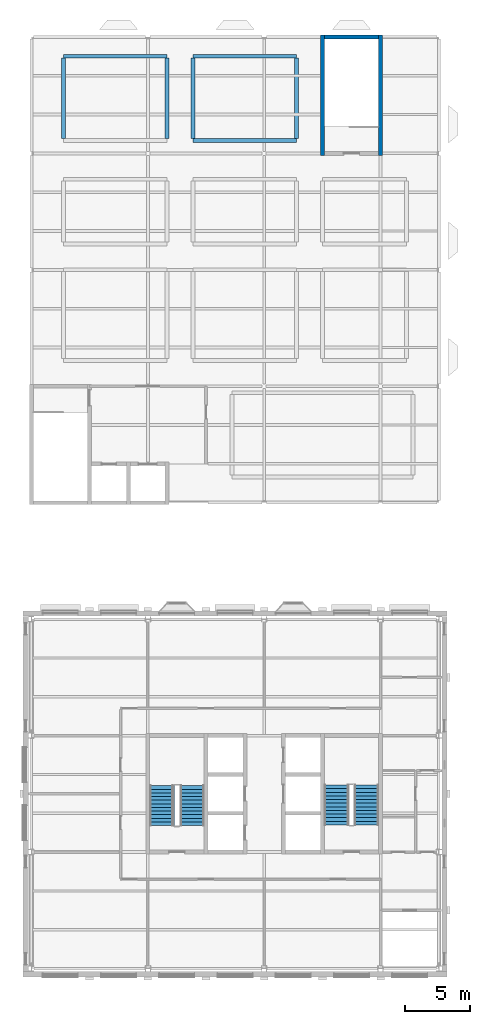
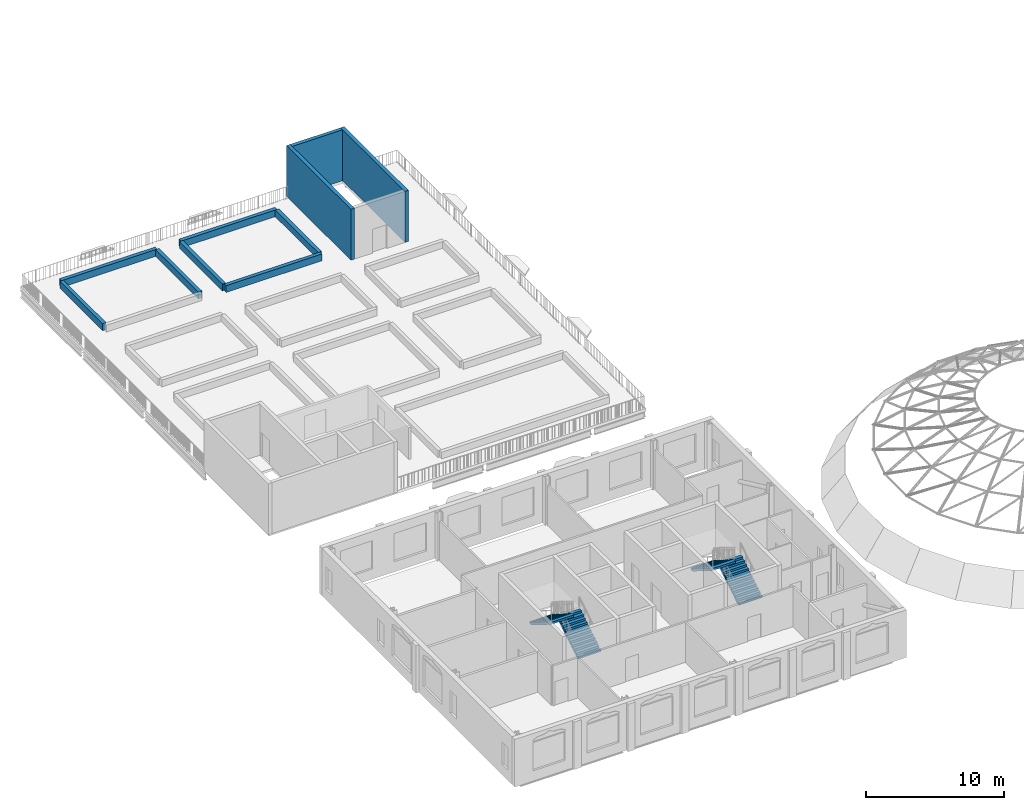
# One storey, part 15 of 33: 10 walls, 4 stair flights, 2 elements without a shape of their own.
"""IFC4 building model written with IfcOpenShell, lengths in metres."""

import ifcopenshell
import ifcopenshell.guid

model = None  # the IFC model being written
_history = None  # IfcOwnerHistory: only IFC2X3 demands one
_inside = {}  # id of a spatial element -> (the spatial element, [elements in it])
_under = {}  # id of a project, library or spatial element -> (it, [spatial elements below it])
_declared = {}  # id of a project -> (the project, [libraries it declares])
_typed = {}  # id of a type object -> (the type object, [elements of that type])
_made_of = {}  # id of a material, layer set ... -> (it, [elements and type objects made of it])


def new_model(schema):
    """Start an empty IFC model of exactly this schema.

    Asked for "IFC4X3", IfcOpenShell would pick the latest addendum, in which some entities
    have other attributes; the version numbers below select the first issue.
    IFC2X3 requires an IfcOwnerHistory on every rooted entity: one is made here for all.
    """
    global model, _history
    if schema == "IFC4X3":
        model = ifcopenshell.file(schema_version=(4, 3, 0, 0))
    else:
        model = ifcopenshell.file(schema=schema)
    _inside.clear()
    _under.clear()
    _declared.clear()
    _typed.clear()
    _made_of.clear()
    _history = None
    if model.schema == "IFC2X3":
        org = make("IfcOrganization", Name="unknown")
        user = make(
            "IfcPersonAndOrganization",
            ThePerson=make("IfcPerson", FamilyName="unknown"),
            TheOrganization=org,
        )
        app = make(
            "IfcApplication",
            ApplicationDeveloper=org,
            Version="unknown",
            ApplicationFullName="unknown",
            ApplicationIdentifier="unknown",
        )
        _history = make(
            "IfcOwnerHistory",
            OwningUser=user,
            OwningApplication=app,
            ChangeAction="ADDED",
            CreationDate=0,
        )
    return model


def make(cls, **values):
    """One entity of the class cls with the attributes given. An attribute that is None is left unset."""
    return model.create_entity(
        cls, **{name: value for name, value in values.items() if value is not None}
    )


def rooted(cls, **values):
    """An entity with a GlobalId (a new one), such as an element, a storey or a relation."""
    return make(cls, GlobalId=ifcopenshell.guid.new(), OwnerHistory=_history, **values)


def si_unit(unit_type, name, prefix=None):
    """IfcSIUnit, for example si_unit("LENGTHUNIT", "METRE", prefix="MILLI")."""
    return make("IfcSIUnit", UnitType=unit_type, Prefix=prefix, Name=name)


def assignment(units):
    """IfcUnitAssignment: the units of a project."""
    return None if units is None else make("IfcUnitAssignment", Units=units)


def point(xyz):
    """IfcCartesianPoint."""
    return None if xyz is None else make("IfcCartesianPoint", Coordinates=xyz)


def direction(xyz):
    """IfcDirection."""
    return None if xyz is None else make("IfcDirection", DirectionRatios=xyz)


def frame(location, z_axis=None, x_axis=None):
    """IfcAxis2Placement3D, a coordinate frame: its origin and axes. An axis left out is left unset."""
    return make(
        "IfcAxis2Placement3D",
        Location=point(location),
        Axis=direction(z_axis),
        RefDirection=direction(x_axis),
    )


def frame_2d(location, x_axis=None):
    """IfcAxis2Placement2D, a coordinate frame in the plane: its origin and x axis."""
    return make(
        "IfcAxis2Placement2D", Location=point(location), RefDirection=direction(x_axis)
    )


def origin():
    """The frame at (0, 0, 0) with its axes left unset."""
    return frame((0.0, 0.0, 0.0))


def place(relative_to, where):
    """IfcLocalPlacement: puts the frame where relative to a parent placement (None: the world)."""
    return make(
        "IfcLocalPlacement", PlacementRelTo=relative_to, RelativePlacement=where
    )


def context(
    kind, dimensions, precision=None, world=None, true_north=None, identifier=None
):
    """IfcGeometricRepresentationContext, for example the 3D "Model" context."""
    return make(
        "IfcGeometricRepresentationContext",
        ContextIdentifier=identifier,
        ContextType=kind,
        CoordinateSpaceDimension=dimensions,
        Precision=precision,
        WorldCoordinateSystem=world,
        TrueNorth=true_north,
    )


def subcontext(parent, identifier, kind, view, scale=None):
    """IfcGeometricRepresentationSubContext, for example "Body" below "Model"."""
    return make(
        "IfcGeometricRepresentationSubContext",
        ContextIdentifier=identifier,
        ContextType=kind,
        ParentContext=parent,
        TargetScale=scale,
        TargetView=view,
    )


def project(units=None, contexts=None):
    """IfcProject with its units and contexts."""
    return rooted(
        "IfcProject",
        Name="project",
        RepresentationContexts=contexts,
        UnitsInContext=assignment(units),
    )


def spatial(cls, under=None, at=None, **own):
    """A site, building, storey or space (cls), placed at a placement, below another one or the project."""
    s = rooted(cls, ObjectPlacement=at, **own)
    if under is not None:
        _under.setdefault(under.id(), (under, []))[1].append(s)
    return s


def polyline(points):
    """IfcPolyline through the points."""
    return make("IfcPolyline", Points=[point(p) for p in points])


def profile(cls, at=None, kind="AREA", **sizes):
    """A parametric profile (cls). Its sizes go by their IFC names, for example OverallWidth=200.0."""
    return make(cls, ProfileType=kind, Position=at, **sizes)


def rectangle(**sizes):
    """IfcRectangleProfileDef."""
    return profile("IfcRectangleProfileDef", **sizes)


def outline(outer, holes=None, kind="AREA"):
    """IfcArbitraryClosedProfileDef: a profile drawn as a closed curve; with holes, ...WithVoids."""
    if holes is None:
        return make("IfcArbitraryClosedProfileDef", ProfileType=kind, OuterCurve=outer)
    return make(
        "IfcArbitraryProfileDefWithVoids",
        ProfileType=kind,
        OuterCurve=outer,
        InnerCurves=holes,
    )


def extrude(swept, where, along, depth):
    """IfcExtrudedAreaSolid: the profile swept, set in the frame where, extruded along a direction by depth."""
    return make(
        "IfcExtrudedAreaSolid",
        SweptArea=swept,
        Position=where,
        ExtrudedDirection=direction(along),
        Depth=depth,
    )


def shape(context_of_items, identifier, shape_type, items):
    """IfcShapeRepresentation: the items that make up one representation, for example the "Body"."""
    return make(
        "IfcShapeRepresentation",
        ContextOfItems=context_of_items,
        RepresentationIdentifier=identifier,
        RepresentationType=shape_type,
        Items=items,
    )


def material(Name=None, Category=None):
    """IfcMaterial."""
    return make("IfcMaterial", Name=Name, Category=Category)


def layer(
    of_material, thickness, ventilated=None, Name=None, Category=None, Priority=None
):
    """IfcMaterialLayer: one layer of a wall or slab, of a material (None: an air gap)."""
    return make(
        "IfcMaterialLayer",
        Material=of_material,
        LayerThickness=thickness,
        IsVentilated=ventilated,
        Name=Name,
        Category=Category,
        Priority=Priority,
    )


def layer_set(layers, Name=None):
    """IfcMaterialLayerSet."""
    return make("IfcMaterialLayerSet", MaterialLayers=layers, LayerSetName=Name)


def made_of(thing, what):
    """Note that an element or type object is made of a material, layer set ...; save() writes the relation."""
    if what is not None:
        _made_of.setdefault(what.id(), (what, []))[1].append(thing)
    return thing


def type_object(cls, material=None, **own):
    """A type object (cls), such as IfcWallType, which elements share."""
    return made_of(rooted(cls, **own), material)


def element(
    cls,
    number,
    at=None,
    inside=None,
    cuts=None,
    type_object=None,
    material=None,
    context=None,
    identifier="Body",
    shape_type=None,
    held_by="IfcProductDefinitionShape",
    body=None,
    shapes=None,
    **own,
):
    """One element of the class cls, such as IfcWall. Its Tag is "e" and its number.

    at: its placement. inside: the storey or other place that contains it. cuts: it is an
    opening in that element (IfcRelVoidsElement). A single representation is given by context,
    identifier, shape_type and body (its items); several are given by shapes. held_by: the class
    of the entity that holds the representations. save() writes the other relations.
    """
    e = rooted(cls, Tag="e%d" % number, ObjectPlacement=at, **own)
    if body is not None:
        shapes = [shape(context, identifier, shape_type, body)]
    if shapes is not None:
        e.Representation = make(held_by, Representations=shapes)
    if inside is not None:
        _inside.setdefault(inside.id(), (inside, []))[1].append(e)
    if cuts is not None:
        rooted(
            "IfcRelVoidsElement", RelatingBuildingElement=cuts, RelatedOpeningElement=e
        )
    if type_object is not None:
        _typed.setdefault(type_object.id(), (type_object, []))[1].append(e)
    return made_of(e, material)


def aggregate(whole, parts):
    """IfcRelAggregates: a whole, such as a stair, and the parts it consists of."""
    return rooted("IfcRelAggregates", RelatingObject=whole, RelatedObjects=parts)


def save(model, path):
    """Write the relations noted so far, then the file.

    IfcRelAggregates (storeys below a building ...), IfcRelContainedInSpatialStructure (elements
    in a storey), IfcRelDefinesByType, IfcRelAssociatesMaterial and IfcRelDeclares: one each for
    every whole, place, type object, material and project.
    """
    for whole, parts in _under.values():
        aggregate(whole, parts)
    for where, things in _inside.values():
        rooted(
            "IfcRelContainedInSpatialStructure",
            RelatedElements=things,
            RelatingStructure=where,
        )
    for kind, things in _typed.values():
        rooted("IfcRelDefinesByType", RelatedObjects=things, RelatingType=kind)
    for what, things in _made_of.values():
        rooted("IfcRelAssociatesMaterial", RelatedObjects=things, RelatingMaterial=what)
    for by, libraries in _declared.values():
        rooted("IfcRelDeclares", RelatingContext=by, RelatedDefinitions=libraries)
    model.write(path)


model = new_model("IFC4")

# Units and contexts
model_context = context("Model", 3, precision=1e-05, world=origin(), true_north=direction((0.0, 1.0)))
body_context = subcontext(model_context, "Body", "Model", "MODEL_VIEW")
ifc_project = project(units=[si_unit("LENGTHUNIT", "METRE"), si_unit("AREAUNIT", "SQUARE_METRE"), si_unit("VOLUMEUNIT", "CUBIC_METRE"), si_unit("PLANEANGLEUNIT", "RADIAN"), si_unit("MASSUNIT", "GRAM", prefix="KILO")], contexts=[model_context])

# Site, building, storey
site_placement = place(None, origin())
site = spatial("IfcSite", under=ifc_project, at=site_placement, CompositionType="ELEMENT")
building_placement = place(site_placement, origin())
building = spatial("IfcBuilding", under=site, at=building_placement, Name="Hortulan Conservatory and Botanical Research Centre", CompositionType="ELEMENT")
storey_placement = place(building_placement, frame((0.0, 0.0, 19.199951171875)))
storey = spatial("IfcBuildingStorey", under=building, at=storey_placement, Name="L04", CompositionType="ELEMENT", Elevation=19.199951171875)

# Walls
ifc_material_1 = material(Name="Brick masonry kerb with sandstone coping", Category="masonry")
ifc_layer_1 = layer(ifc_material_1, 0.300048828125)
ifc_layer_set_1 = layer_set([ifc_layer_1], Name="Roof Garden Planter Kerb 300x600")
wall_type_1 = type_object("IfcWallType", Name="Roof Garden Planter Kerb 300x600", PredefinedType="STANDARD", material=ifc_layer_set_1)
wall_1_placement = place(storey_placement, frame((2.5, 70.5, 0.0), z_axis=(0.0, 0.0, 1.0), x_axis=(1.0, 0.0, 0.0)))
element("IfcWall", 1, at=wall_1_placement, inside=storey, type_object=wall_type_1, Name="Roof garden planter 7 north kerb", PredefinedType="STANDARD", context=body_context, shape_type="SweptSolid", body=[
    extrude(rectangle(XDim=8.0, YDim=0.300048828125, at=frame_2d((4.0, 0.0))), origin(), (0.0, 0.0, 1.0), 0.60009765625),
])
for number, where, z_axis, x_axis, name in (
    (2, (2.5, 64.14990234375, 0.0), (0.0, 0.0, 1.0), (0.0, 1.0, 0.0), "Roof garden planter 7 west kerb"),
    (3, (10.5, 64.14990234375, 0.0), (0.0, 0.0, 1.0), (0.0, 1.0, 0.0), "Roof garden planter 7 east kerb"),
):
    element("IfcWall", number, at=place(storey_placement, frame(where, z_axis=z_axis, x_axis=x_axis)), inside=storey, type_object=wall_type_1, Name=name, PredefinedType="STANDARD", context=body_context, shape_type="SweptSolid", body=[
        extrude(rectangle(XDim=6.2001953125, YDim=0.300048828125, at=frame_2d((3.10009765625, 0.0))), origin(), (0.0, 0.0, 1.0), 0.60009765625),
    ])
for number, where, z_axis, x_axis, name in (
    (4, (12.5, 64.0, 0.0), (0.0, 0.0, 1.0), (1.0, 0.0, 0.0), "Roof garden planter 8 south kerb"),
    (5, (12.5, 70.5, 0.0), (0.0, 0.0, 1.0), (1.0, 0.0, 0.0), "Roof garden planter 8 north kerb"),
):
    element("IfcWall", number, at=place(storey_placement, frame(where, z_axis=z_axis, x_axis=x_axis)), inside=storey, type_object=wall_type_1, Name=name, PredefinedType="STANDARD", context=body_context, shape_type="SweptSolid", body=[
        extrude(rectangle(XDim=8.0, YDim=0.300048828125, at=frame_2d((4.0, 0.0))), origin(), (0.0, 0.0, 1.0), 0.60009765625),
    ])
for number, where, z_axis, x_axis, name in (
    (6, (12.5, 64.14990234375, 0.0), (0.0, 0.0, 1.0), (0.0, 1.0, 0.0), "Roof garden planter 8 west kerb"),
    (7, (20.5, 64.14990234375, 0.0), (0.0, 0.0, 1.0), (0.0, 1.0, 0.0), "Roof garden planter 8 east kerb"),
):
    element("IfcWall", number, at=place(storey_placement, frame(where, z_axis=z_axis, x_axis=x_axis)), inside=storey, type_object=wall_type_1, Name=name, PredefinedType="STANDARD", context=body_context, shape_type="SweptSolid", body=[
        extrude(rectangle(XDim=6.2001953125, YDim=0.300048828125, at=frame_2d((3.10009765625, 0.0))), origin(), (0.0, 0.0, 1.0), 0.60009765625),
    ])
ifc_material_2 = material(Name="Concrete N40 (40 MPa, AS 3600)", Category="concrete")
ifc_layer_2 = layer(ifc_material_2, 0.300048828125)
ifc_layer_set_2 = layer_set([ifc_layer_2], Name="Shaft Head Wall 300")
wall_type_2 = type_object("IfcWallType", Name="Shaft Head Wall 300", PredefinedType="SOLIDWALL", material=ifc_layer_set_2)
for number, where, z_axis, x_axis, name in (
    (8, (22.5, 62.85009765625, 0.0), (0.0, 0.0, 1.0), (0.0, 1.0, 0.0), "Roof garden VC19200-2 head wall 1"),
    (9, (27.0, 62.85009765625, 0.0), (0.0, 0.0, 1.0), (0.0, 1.0, 0.0), "Roof garden VC19200-2 head wall 2"),
):
    element("IfcWall", number, at=place(storey_placement, frame(where, z_axis=z_axis, x_axis=x_axis)), inside=storey, type_object=wall_type_2, Name=name, PredefinedType="SOLIDWALL", context=body_context, shape_type="SweptSolid", body=[
        extrude(rectangle(XDim=9.2998046875, YDim=0.300048828125, at=frame_2d((4.64990234375, 0.0))), origin(), (0.0, 0.0, 1.0), 4.5),
    ])
wall_2_placement = place(storey_placement, frame((22.64990234375, 72.0, 0.0), z_axis=(0.0, 0.0, 1.0), x_axis=(1.0, 0.0, 0.0)))
element("IfcWall", 10, at=wall_2_placement, inside=storey, type_object=wall_type_2, Name="Roof garden VC19200-2 head wall 4", PredefinedType="SOLIDWALL", context=body_context, shape_type="SweptSolid", body=[
    extrude(rectangle(XDim=4.2001953125, YDim=0.300048828125, at=frame_2d((2.10009765625, 0.0))), origin(), (0.0, 0.0, 1.0), 4.5),
])

# Stair, stair flights
stair_type_1 = type_object("IfcStairType", Name="Concrete Escape Stair 1900", PredefinedType="HALF_TURN_STAIR", material=ifc_material_2)
stair_1_placement = place(storey_placement, origin())
stair_1 = element("IfcStair", 11, at=stair_1_placement, inside=storey, type_object=stair_type_1, Name="Stair T1 L04", PredefinedType="HALF_TURN_STAIR")
ifc_layer_3 = layer(ifc_material_2, 0.14990234375)
ifc_layer_set_3 = layer_set([ifc_layer_3], Name="Stair Flight 1900 wide, riser 175")
stair_flight_type_1 = type_object("IfcStairFlightType", Name="Stair Flight 1900 wide, riser 175", PredefinedType="STRAIGHT", material=ifc_layer_set_3)
stair_flight_1_placement = place(storey_placement, frame((12.39990234375, 11.050048828125, 0.0), z_axis=(0.0, 0.0, 1.0), x_axis=(0.0, 1.0, 0.0)))
stair_flight_1 = element("IfcStairFlight", 12, at=stair_flight_1_placement, type_object=stair_flight_type_1, Name="Stair T1 L04 flight 1", NumberOfRisers=12, NumberOfTreads=11, PredefinedType="STRAIGHT", RiserHeight=0.175, TreadLength=0.28, context=body_context, shape_type="SweptSolid", body=[
    extrude(outline(polyline([(0.0, 0.0), (0.0, 0.175048828125), (0.280029296875, 0.175048828125), (0.280029296875, 0.35009765625), (0.56005859375, 0.35009765625), (0.56005859375, 0.52490234375), (0.840087890625, 0.52490234375), (0.840087890625, 0.699951171875), (1.1201171875, 0.699951171875), (1.1201171875, 0.875), (1.39990234375, 0.875), (1.39990234375, 1.050048828125), (1.679931640625, 1.050048828125), (1.679931640625, 1.22509765625), (1.9599609375, 1.22509765625), (1.9599609375, 1.39990234375), (2.239990234375, 1.39990234375), (2.239990234375, 1.574951171875), (2.52001953125, 1.574951171875), (2.52001953125, 1.75), (2.800048828125, 1.75), (2.800048828125, 1.925048828125), (3.080078125, 1.925048828125), (3.080078125, 2.10009765625), (3.080078125, 1.748291015625), (0.28271484375, 0.0), (0.0, 0.0)])), frame((0.0, 0.949951171875, 0.0), z_axis=(0.0, -1.0, 0.0), x_axis=(1.0, 0.0, 0.0)), (0.0, 0.0, 1.0), 1.89990234375),
])
stair_flight_2_placement = place(storey_placement, frame((10.10009765625, 14.1298828125, 2.10009765625), z_axis=(0.0, 0.0, 1.0), x_axis=(0.0, -1.0, 0.0)))
stair_flight_2 = element("IfcStairFlight", 13, at=stair_flight_2_placement, type_object=stair_flight_type_1, Name="Stair T1 L04 flight 2", NumberOfRisers=12, NumberOfTreads=11, PredefinedType="STRAIGHT", RiserHeight=0.175, TreadLength=0.28, context=body_context, shape_type="SweptSolid", body=[
    extrude(outline(polyline([(0.0, 0.0), (0.0, 0.175048828125), (0.280029296875, 0.175048828125), (0.280029296875, 0.35009765625), (0.56005859375, 0.35009765625), (0.56005859375, 0.52490234375), (0.840087890625, 0.52490234375), (0.840087890625, 0.699951171875), (1.1201171875, 0.699951171875), (1.1201171875, 0.875), (1.39990234375, 0.875), (1.39990234375, 1.050048828125), (1.679931640625, 1.050048828125), (1.679931640625, 1.22509765625), (1.9599609375, 1.22509765625), (1.9599609375, 1.39990234375), (2.239990234375, 1.39990234375), (2.239990234375, 1.574951171875), (2.52001953125, 1.574951171875), (2.52001953125, 1.75), (2.800048828125, 1.75), (2.800048828125, 1.925048828125), (3.080078125, 1.925048828125), (3.080078125, 2.10009765625), (3.080078125, 1.748291015625), (0.28271484375, 0.0), (0.0, 0.0)])), frame((0.0, 0.949951171875, 0.0), z_axis=(0.0, -1.0, 0.0), x_axis=(1.0, 0.0, 0.0)), (0.0, 0.0, 1.0), 1.89990234375),
])
aggregate(stair_1, [stair_flight_1, stair_flight_2])

stair_type_2 = type_object("IfcStairType", Name="Concrete Escape Stair 1950", PredefinedType="HALF_TURN_STAIR", material=ifc_material_2)
stair_2_placement = place(storey_placement, origin())
stair_2 = element("IfcStair", 14, at=stair_2_placement, inside=storey, type_object=stair_type_2, Name="Stair T2 L04", PredefinedType="HALF_TURN_STAIR")
ifc_layer_4 = layer(ifc_material_2, 0.14990234375)
ifc_layer_set_4 = layer_set([ifc_layer_4], Name="Stair Flight 1950 wide, riser 175")
stair_flight_type_2 = type_object("IfcStairFlightType", Name="Stair Flight 1950 wide, riser 175", PredefinedType="STRAIGHT", material=ifc_layer_set_4)
stair_flight_3_placement = place(storey_placement, frame((25.875, 11.10009765625, 0.0), z_axis=(0.0, 0.0, 1.0), x_axis=(0.0, 1.0, 0.0)))
stair_flight_3 = element("IfcStairFlight", 15, at=stair_flight_3_placement, type_object=stair_flight_type_2, Name="Stair T2 L04 flight 1", NumberOfRisers=12, NumberOfTreads=11, PredefinedType="STRAIGHT", RiserHeight=0.175, TreadLength=0.28, context=body_context, shape_type="SweptSolid", body=[
    extrude(outline(polyline([(0.0, 0.0), (0.0, 0.175048828125), (0.280029296875, 0.175048828125), (0.280029296875, 0.35009765625), (0.56005859375, 0.35009765625), (0.56005859375, 0.52490234375), (0.840087890625, 0.52490234375), (0.840087890625, 0.699951171875), (1.1201171875, 0.699951171875), (1.1201171875, 0.875), (1.39990234375, 0.875), (1.39990234375, 1.050048828125), (1.679931640625, 1.050048828125), (1.679931640625, 1.22509765625), (1.9599609375, 1.22509765625), (1.9599609375, 1.39990234375), (2.239990234375, 1.39990234375), (2.239990234375, 1.574951171875), (2.52001953125, 1.574951171875), (2.52001953125, 1.75), (2.800048828125, 1.75), (2.800048828125, 1.925048828125), (3.080078125, 1.925048828125), (3.080078125, 2.10009765625), (3.080078125, 1.748291015625), (0.28271484375, 0.0), (0.0, 0.0)])), frame((0.0, 0.97509765625, 0.0), z_axis=(0.0, -1.0, 0.0), x_axis=(1.0, 0.0, 0.0)), (0.0, 0.0, 1.0), 1.949951171875),
])
stair_flight_4_placement = place(storey_placement, frame((23.625, 14.179931640625, 2.10009765625), z_axis=(0.0, 0.0, 1.0), x_axis=(0.0, -1.0, 0.0)))
stair_flight_4 = element("IfcStairFlight", 16, at=stair_flight_4_placement, type_object=stair_flight_type_2, Name="Stair T2 L04 flight 2", NumberOfRisers=12, NumberOfTreads=11, PredefinedType="STRAIGHT", RiserHeight=0.175, TreadLength=0.28, context=body_context, shape_type="SweptSolid", body=[
    extrude(outline(polyline([(0.0, 0.0), (0.0, 0.175048828125), (0.280029296875, 0.175048828125), (0.280029296875, 0.35009765625), (0.56005859375, 0.35009765625), (0.56005859375, 0.52490234375), (0.840087890625, 0.52490234375), (0.840087890625, 0.699951171875), (1.1201171875, 0.699951171875), (1.1201171875, 0.875), (1.39990234375, 0.875), (1.39990234375, 1.050048828125), (1.679931640625, 1.050048828125), (1.679931640625, 1.22509765625), (1.9599609375, 1.22509765625), (1.9599609375, 1.39990234375), (2.239990234375, 1.39990234375), (2.239990234375, 1.574951171875), (2.52001953125, 1.574951171875), (2.52001953125, 1.75), (2.800048828125, 1.75), (2.800048828125, 1.925048828125), (3.080078125, 1.925048828125), (3.080078125, 2.10009765625), (3.080078125, 1.748291015625), (0.28271484375, 0.0), (0.0, 0.0)])), frame((0.0, 0.97509765625, 0.0), z_axis=(0.0, -1.0, 0.0), x_axis=(1.0, 0.0, 0.0)), (0.0, 0.0, 1.0), 1.949951171875),
])
aggregate(stair_2, [stair_flight_3, stair_flight_4])

save(model, "model.ifc")
